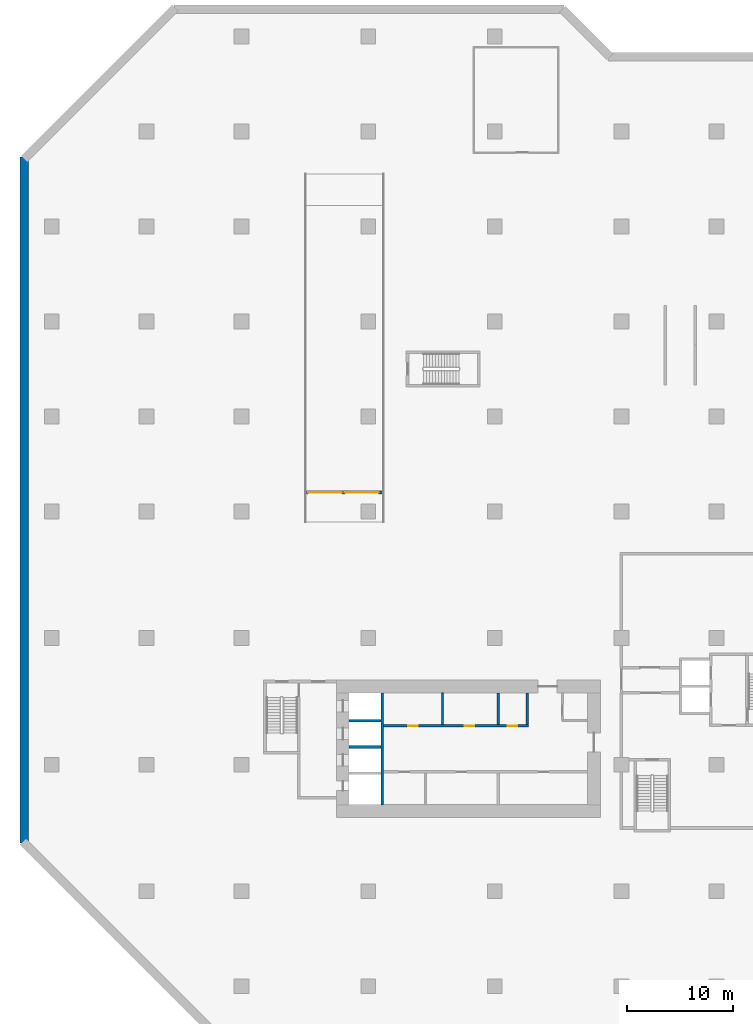
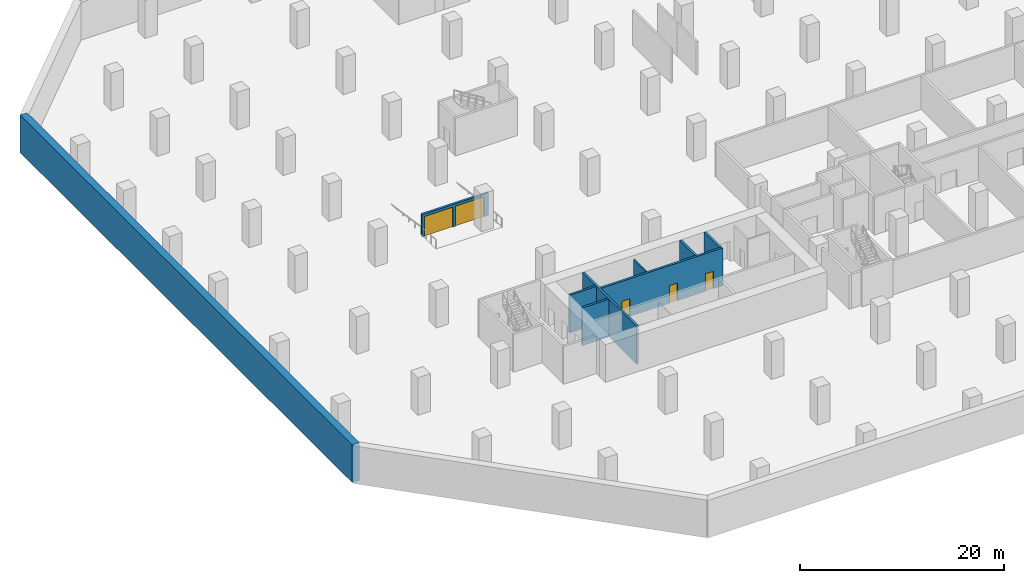
# One storey, part 3 of 10: 9 walls, 5 doors, 5 openings.
"""IFC4 building model written with IfcOpenShell, lengths in metres."""

from ifc_helpers import new_model, si_unit, direction, frame, frame_2d, origin, place, context, subcontext, project, spatial, rectangle, extrude, material, layer, layer_set, type_object, element, fill, save


model = new_model("IFC4")

# Units and contexts
model_context = context("Model", 3, precision=1e-05, world=origin(), true_north=direction((0.0, 1.0)))
body_context = subcontext(model_context, "Body", "Model", "MODEL_VIEW")
ifc_project = project(units=[si_unit("LENGTHUNIT", "METRE"), si_unit("AREAUNIT", "SQUARE_METRE"), si_unit("VOLUMEUNIT", "CUBIC_METRE"), si_unit("PLANEANGLEUNIT", "RADIAN"), si_unit("MASSUNIT", "GRAM", prefix="KILO")], contexts=[model_context])

# Site, building, storey
site_placement = place(None, origin())
site = spatial("IfcSite", under=ifc_project, at=site_placement, CompositionType="ELEMENT")
building_placement = place(site_placement, origin())
building = spatial("IfcBuilding", under=site, at=building_placement, Name="Chenar Terraces", CompositionType="ELEMENT")
storey_placement = place(building_placement, frame((0.0, 0.0, -9.0)))
storey = spatial("IfcBuildingStorey", under=building, at=storey_placement, Name="B2", CompositionType="ELEMENT", Elevation=-9.0)

# Walls
ifc_material_1 = material(Name="Gypsum board on steel studs", Category="steel")
ifc_layer_1 = layer(ifc_material_1, 0.14990234375)
ifc_layer_set_1 = layer_set([ifc_layer_1], Name="Gypsum board on steel studs")
wall_type_1 = type_object("IfcWallType", Name="Core partition 150 gypsum board", PredefinedType="PARTITIONING", material=ifc_layer_set_1)
wall_1_placement = place(storey_placement, frame((19.0400390625, 15.800048828125, 0.0), z_axis=(0.0, 0.0, 1.0), x_axis=(0.0, 1.0, 0.0)))
element("IfcWall", 1, at=wall_1_placement, inside=storey, type_object=wall_type_1, Name="Core partition CP1 freed bay wall", PredefinedType="PARTITIONING", context=body_context, shape_type="SweptSolid", body=[
    extrude(rectangle(XDim=3.0, YDim=0.14990234375, at=frame_2d((1.5, 0.0))), origin(), (0.0, 0.0, 1.0), 4.050048828125),
])
ifc_material_2 = material(Name="Concrete C70/85", Category="concrete")
ifc_layer_2 = layer(ifc_material_2, 0.25)
ifc_layer_set_2 = layer_set([ifc_layer_2], Name="Concrete C70/85")
wall_type_2 = type_object("IfcWallType", Name="Core wall 250 Concrete C70/85", PredefinedType="SHEAR", material=ifc_layer_set_2)
wall_2_placement = place(storey_placement, frame((13.324951171875, 8.199951171875, 0.0), z_axis=(0.0, 0.0, 1.0), x_axis=(0.0, 1.0, 0.0)))
element("IfcWall", 2, at=wall_2_placement, inside=storey, type_object=wall_type_2, Name="Core wall WI B2", PredefinedType="SHEAR", context=body_context, shape_type="SweptSolid", body=[
    extrude(rectangle(XDim=10.60009765625, YDim=0.25, at=frame_2d((5.300048828125, 0.0))), origin(), (0.0, 0.0, 1.0), 4.5),
])

# Wall, openings, doors
wall_3_placement = place(storey_placement, frame((13.449951171875, 15.675048828125, 0.0), z_axis=(0.0, 0.0, 1.0), x_axis=(1.0, 0.0, 0.0)))
wall_3 = element("IfcWall", 3, at=wall_3_placement, inside=storey, type_object=wall_type_2, Name="Core wall NF B2", PredefinedType="SHEAR", context=body_context, shape_type="SweptSolid", body=[
    extrude(rectangle(XDim=13.75, YDim=0.25, at=frame_2d((6.875, 0.0))), origin(), (0.0, 0.0, 1.0), 4.5),
])
opening_1_placement = place(wall_3_placement, frame((2.344970703125, 0.0, 0.0)))
opening_1 = element("IfcOpeningElement", 4, at=opening_1_placement, cuts=wall_3, Name="Opening DB2-C15", PredefinedType="OPENING", context=body_context, shape_type="SweptSolid", body=[
    extrude(rectangle(XDim=0.89990234375, YDim=2.10009765625, at=frame_2d((0.449951171875, 1.050048828125))), frame((0.0, 0.135009765625, 0.0), z_axis=(0.0, -1.0, 0.0), x_axis=(1.0, 0.0, 0.0)), (0.0, 0.0, 1.0), 0.27001953125),
])
opening_2_placement = place(wall_3_placement, frame((7.719970703125, 0.0, 0.0)))
opening_2 = element("IfcOpeningElement", 5, at=opening_2_placement, cuts=wall_3, Name="Opening DB2-C16", PredefinedType="OPENING", context=body_context, shape_type="SweptSolid", body=[
    extrude(rectangle(XDim=0.89990234375, YDim=2.10009765625, at=frame_2d((0.449951171875, 1.050048828125))), frame((0.0, 0.135009765625, 0.0), z_axis=(0.0, -1.0, 0.0), x_axis=(1.0, 0.0, 0.0)), (0.0, 0.0, 1.0), 0.27001953125),
])
opening_3_placement = place(wall_3_placement, frame((11.800048828125, 0.0, 0.0)))
opening_3 = element("IfcOpeningElement", 6, at=opening_3_placement, cuts=wall_3, Name="Opening DB2-C17", PredefinedType="OPENING", context=body_context, shape_type="SweptSolid", body=[
    extrude(rectangle(XDim=0.89990234375, YDim=2.10009765625, at=frame_2d((0.449951171875, 1.050048828125))), frame((0.0, 0.135009765625, 0.0), z_axis=(0.0, -1.0, 0.0), x_axis=(1.0, 0.0, 0.0)), (0.0, 0.0, 1.0), 0.27001953125),
])
ifc_material_3 = material(Name="Steel-framed fire-resisting door leaf", Category="steel")
door_type_1 = type_object("IfcDoorType", Name="Riser fire door FD60 900 x 2100", OperationType="SINGLE_SWING_LEFT", PredefinedType="DOOR", material=ifc_material_3)
door_1_placement = place(opening_1_placement, origin())
door_1 = element("IfcDoor", 7, at=door_1_placement, inside=storey, type_object=door_type_1, Name="Core room door DB2-C15", OperationType="SINGLE_SWING_RIGHT", OverallHeight=2.10009765625, OverallWidth=0.89990234375, PredefinedType="DOOR", context=body_context, shape_type="SweptSolid", body=[
    extrude(rectangle(XDim=0.89990234375, YDim=2.10009765625, at=frame_2d((0.449951171875, 1.050048828125))), frame((0.0, 0.02490234375, 0.0), z_axis=(0.0, -1.0, 0.0), x_axis=(1.0, 0.0, 0.0)), (0.0, 0.0, 1.0), 0.050048828125),
])
fill(opening_1, door_1)
door_2_placement = place(opening_2_placement, origin())
door_2 = element("IfcDoor", 8, at=door_2_placement, inside=storey, type_object=door_type_1, Name="Core room door DB2-C16", OperationType="SINGLE_SWING_RIGHT", OverallHeight=2.10009765625, OverallWidth=0.89990234375, PredefinedType="DOOR", context=body_context, shape_type="SweptSolid", body=[
    extrude(rectangle(XDim=0.89990234375, YDim=2.10009765625, at=frame_2d((0.449951171875, 1.050048828125))), frame((0.0, 0.02490234375, 0.0), z_axis=(0.0, -1.0, 0.0), x_axis=(1.0, 0.0, 0.0)), (0.0, 0.0, 1.0), 0.050048828125),
])
fill(opening_2, door_2)
door_3_placement = place(opening_3_placement, origin())
door_3 = element("IfcDoor", 9, at=door_3_placement, inside=storey, type_object=door_type_1, Name="Core room door DB2-C17", OperationType="SINGLE_SWING_LEFT", OverallHeight=2.10009765625, OverallWidth=0.89990234375, PredefinedType="DOOR", context=body_context, shape_type="SweptSolid", body=[
    extrude(rectangle(XDim=0.89990234375, YDim=2.10009765625, at=frame_2d((0.449951171875, 1.050048828125))), frame((0.0, 0.02490234375, 0.0), z_axis=(0.0, -1.0, 0.0), x_axis=(1.0, 0.0, 0.0)), (0.0, 0.0, 1.0), 0.050048828125),
])
fill(opening_3, door_3)

# Walls
for number, where, z_axis, x_axis, name in (
    (10, (10.199951171875, 13.675048828125, 0.0), (0.0, 0.0, 1.0), (1.0, 0.0, 0.0), "Core wall HW1 B2"),
    (11, (10.199951171875, 16.175048828125, 0.0), (0.0, 0.0, 1.0), (1.0, 0.0, 0.0), "Core wall HW2 B2"),
    (12, (24.324951171875, 15.800048828125, 0.0), (0.0, 0.0, 1.0), (0.0, 1.0, 0.0), "Core wall NS3 B2"),
    (13, (27.074951171875, 15.800048828125, 0.0), (0.0, 0.0, 1.0), (0.0, 1.0, 0.0), "Core wall NE B2"),
):
    element("IfcWall", number, at=place(storey_placement, frame(where, z_axis=z_axis, x_axis=x_axis)), inside=storey, type_object=wall_type_2, Name=name, PredefinedType="SHEAR", context=body_context, shape_type="SweptSolid", body=[
        extrude(rectangle(XDim=3.0, YDim=0.25, at=frame_2d((1.5, 0.0))), origin(), (0.0, 0.0, 1.0), 4.5),
    ])
ifc_material_4 = material(Name="Concrete C40/50", Category="concrete")
ifc_layer_3 = layer(ifc_material_4, 0.800048828125)
ifc_layer_set_3 = layer_set([ifc_layer_3], Name="Concrete C40/50")
wall_type_3 = type_object("IfcWallType", Name="Diaphragm wall 800 Concrete C40/50", PredefinedType="SOLIDWALL", material=ifc_layer_set_3)
wall_4_placement = place(storey_placement, frame((-20.60009765625, 69.5771484375, 0.0), z_axis=(0.0, 0.0, 1.0), x_axis=(0.0, -1.0, 0.0)))
element("IfcWall", 14, at=wall_4_placement, inside=storey, type_object=wall_type_3, Name="Diaphragm wall B2 4", PredefinedType="SOLIDWALL", context=body_context, shape_type="SweptSolid", body=[
    extrude(rectangle(XDim=64.98876953125, YDim=0.800048828125, at=frame_2d((32.494384765625, 0.0))), origin(), (0.0, 0.0, 1.0), 4.5),
])

# Wall, openings, doors
ifc_material_5 = material(Name="Reinforced concrete C40/50", Category="concrete")
ifc_layer_4 = layer(ifc_material_5, 0.25)
ifc_layer_set_4 = layer_set([ifc_layer_4], Name="Reinforced concrete C40/50")
wall_type_4 = type_object("IfcWallType", Name="Entrance wall 250 concrete", PredefinedType="SOLIDWALL", material=ifc_layer_set_4)
wall_5_placement = place(storey_placement, frame((6.0, 37.800048828125, -0.2333984375), z_axis=(0.0, 0.0, 1.0), x_axis=(1.0, 0.0, 0.0)))
wall_5 = element("IfcWall", 15, at=wall_5_placement, inside=storey, type_object=wall_type_4, Name="R3 entrance wall", PredefinedType="SOLIDWALL", context=body_context, shape_type="SweptSolid", body=[
    extrude(rectangle(XDim=7.5, YDim=0.25, at=frame_2d((3.75, 0.0))), origin(), (0.0, 0.0, 1.0), 2.7001953125),
])
opening_4_placement = place(wall_5_placement, frame((0.300048828125, 0.0, 0.0)))
opening_4 = element("IfcOpeningElement", 16, at=opening_4_placement, cuts=wall_5, Name="Opening VG-R3.1", PredefinedType="OPENING", context=body_context, shape_type="SweptSolid", body=[
    extrude(rectangle(XDim=3.199951171875, YDim=2.39990234375, at=frame_2d((1.60009765625, 1.199951171875))), frame((0.0, 0.135009765625, 0.0), z_axis=(0.0, -1.0, 0.0), x_axis=(1.0, 0.0, 0.0)), (0.0, 0.0, 1.0), 0.27001953125),
])
opening_5_placement = place(wall_5_placement, frame((3.800048828125, 0.0, 0.0)))
opening_5 = element("IfcOpeningElement", 17, at=opening_5_placement, cuts=wall_5, Name="Opening VG-R3.2", PredefinedType="OPENING", context=body_context, shape_type="SweptSolid", body=[
    extrude(rectangle(XDim=3.199951171875, YDim=2.39990234375, at=frame_2d((1.60009765625, 1.199951171875))), frame((0.0, 0.135009765625, 0.0), z_axis=(0.0, -1.0, 0.0), x_axis=(1.0, 0.0, 0.0)), (0.0, 0.0, 1.0), 0.27001953125),
])
ifc_material_6 = material(Name="Galvanised steel", Category="steel")
door_type_2 = type_object("IfcDoorType", Name="Vehicle gate 3200 x 2400 sliding", OperationType="SLIDING_TO_LEFT", PredefinedType="GATE", material=ifc_material_6)
door_4_placement = place(opening_4_placement, origin())
door_4 = element("IfcDoor", 18, at=door_4_placement, inside=storey, type_object=door_type_2, Name="Vehicle gate R3.1", OperationType="SLIDING_TO_LEFT", OverallHeight=2.39990234375, OverallWidth=3.199951171875, PredefinedType="GATE", context=body_context, shape_type="SweptSolid", body=[
    extrude(rectangle(XDim=3.199951171875, YDim=2.39990234375, at=frame_2d((1.60009765625, 1.199951171875))), frame((0.0, 0.02490234375, 0.0), z_axis=(0.0, -1.0, 0.0), x_axis=(1.0, 0.0, 0.0)), (0.0, 0.0, 1.0), 0.050048828125),
])
fill(opening_4, door_4)
door_5_placement = place(opening_5_placement, origin())
door_5 = element("IfcDoor", 19, at=door_5_placement, inside=storey, type_object=door_type_2, Name="Vehicle gate R3.2", OperationType="SLIDING_TO_LEFT", OverallHeight=2.39990234375, OverallWidth=3.199951171875, PredefinedType="GATE", context=body_context, shape_type="SweptSolid", body=[
    extrude(rectangle(XDim=3.199951171875, YDim=2.39990234375, at=frame_2d((1.60009765625, 1.199951171875))), frame((0.0, 0.02490234375, 0.0), z_axis=(0.0, -1.0, 0.0), x_axis=(1.0, 0.0, 0.0)), (0.0, 0.0, 1.0), 0.050048828125),
])
fill(opening_5, door_5)

save(model, "model.ifc")
